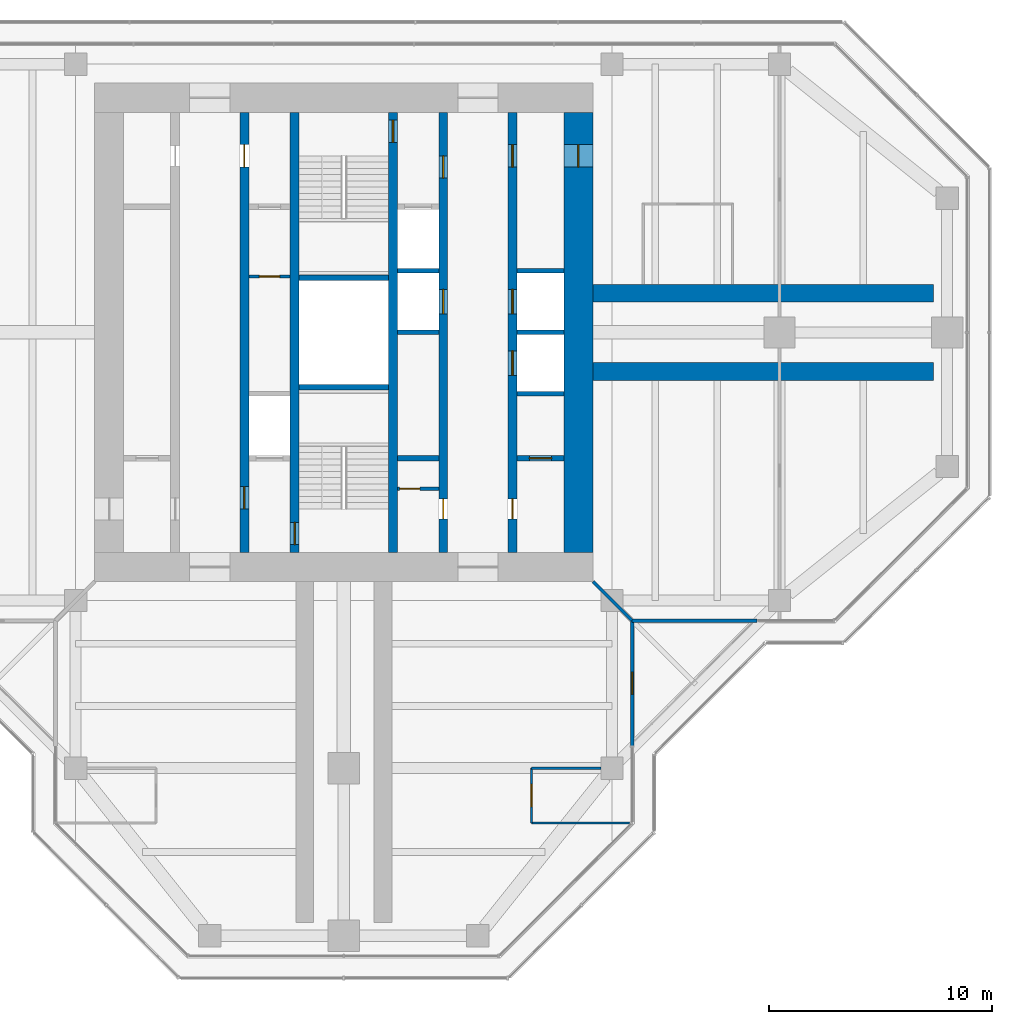
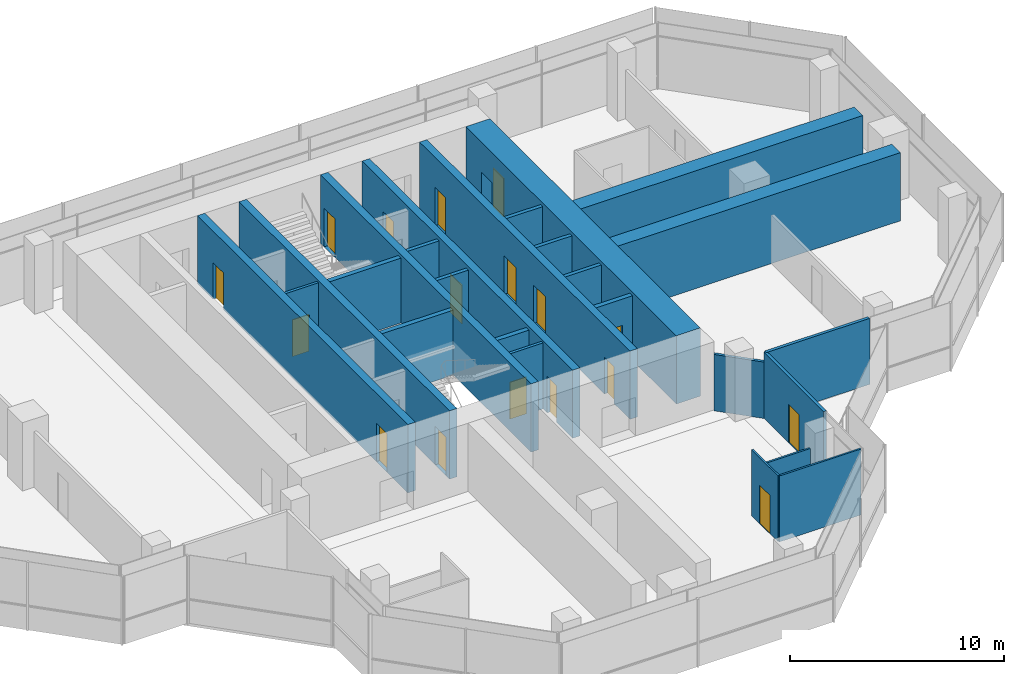
# One storey, part 12 of 15: 25 walls, 17 doors, 17 openings.
"""IFC4 building model written with IfcOpenShell, lengths in metres."""

from ifc_helpers import new_model, si_unit, direction, frame, frame_2d, origin, place, context, subcontext, project, spatial, rectangle, extrude, material, layer, layer_set, type_object, element, fill, save


model = new_model("IFC4")

# Units and contexts
model_context = context("Model", 3, precision=1e-05, world=origin(), true_north=direction((0.0, 1.0)))
body_context = subcontext(model_context, "Body", "Model", "MODEL_VIEW")
ifc_project = project(units=[si_unit("LENGTHUNIT", "METRE"), si_unit("AREAUNIT", "SQUARE_METRE"), si_unit("VOLUMEUNIT", "CUBIC_METRE"), si_unit("PLANEANGLEUNIT", "RADIAN"), si_unit("MASSUNIT", "GRAM", prefix="KILO")], contexts=[model_context])

# Site, building, storey
site_placement = place(None, origin())
site = spatial("IfcSite", under=ifc_project, at=site_placement, CompositionType="ELEMENT")
building_placement = place(site_placement, origin())
building = spatial("IfcBuilding", under=site, at=building_placement, Name="Mizan Broadcast Tower", CompositionType="ELEMENT")
storey_placement = place(building_placement, frame((0.0, 0.0, 298.5)))
storey = spatial("IfcBuildingStorey", under=building, at=storey_placement, Name="L71", CompositionType="ELEMENT", Elevation=298.5)

# Wall, openings, doors
ifc_material_1 = material(Name="Concrete C70/85", Category="concrete")
ifc_layer_1 = layer(ifc_material_1, 0.39990234375)
ifc_layer_set_1 = layer_set([ifc_layer_1], Name="Concrete C70/85")
wall_type_1 = type_object("IfcWallType", Name="CORE INTERNAL WALL 400", PredefinedType="SHEAR", material=ifc_layer_set_1)
wall_1_placement = place(storey_placement, frame((7.550048828125, 9.85009765625, 0.0), z_axis=(0.0, 0.0, 1.0), x_axis=(0.0, -1.0, 0.0)))
wall_1 = element("IfcWall", 1, at=wall_1_placement, inside=storey, type_object=wall_type_1, Name="Core wall CORE/XW1E", PredefinedType="SHEAR", context=body_context, shape_type="SweptSolid", body=[
    extrude(rectangle(XDim=19.7001953125, YDim=0.39990234375, at=frame_2d((9.85009765625, 0.0))), origin(), (0.0, 0.0, 1.0), 3.89990234375),
])
opening_1_placement = place(wall_1_placement, frame((1.449951171875, 0.0, 0.0)))
opening_1 = element("IfcOpeningElement", 2, at=opening_1_placement, cuts=wall_1, Name="Opening D10F", PredefinedType="OPENING", context=body_context, shape_type="SweptSolid", body=[
    extrude(rectangle(XDim=1.0, YDim=2.199951171875, at=frame_2d((0.5, 1.10009765625))), frame((0.0, 0.2099609375, 0.0), z_axis=(0.0, -1.0, 0.0), x_axis=(1.0, 0.0, 0.0)), (0.0, 0.0, 1.0), 0.419921875),
])
opening_2_placement = place(wall_1_placement, frame((17.300048828125, 0.0, 0.0)))
opening_2 = element("IfcOpeningElement", 3, at=opening_2_placement, cuts=wall_1, Name="Opening D09", PredefinedType="OPENING", context=body_context, shape_type="SweptSolid", body=[
    extrude(rectangle(XDim=0.89990234375, YDim=2.10009765625, at=frame_2d((0.449951171875, 1.050048828125))), frame((0.0, 0.2099609375, 0.0), z_axis=(0.0, -1.0, 0.0), x_axis=(1.0, 0.0, 0.0)), (0.0, 0.0, 1.0), 0.419921875),
])
opening_3_placement = place(wall_1_placement, frame((7.925048828125, 0.0, 0.0)))
opening_3 = element("IfcOpeningElement", 4, at=opening_3_placement, cuts=wall_1, Name="Opening LD", PredefinedType="OPENING", context=body_context, shape_type="SweptSolid", body=[
    extrude(rectangle(XDim=1.10009765625, YDim=2.199951171875, at=frame_2d((0.550048828125, 1.10009765625))), frame((0.0, 0.2099609375, 0.0), z_axis=(0.0, -1.0, 0.0), x_axis=(1.0, 0.0, 0.0)), (0.0, 0.0, 1.0), 0.419921875),
])
opening_4_placement = place(wall_1_placement, frame((10.675048828125, 0.0, 0.0)))
opening_4 = element("IfcOpeningElement", 5, at=opening_4_placement, cuts=wall_1, Name="Opening LD", PredefinedType="OPENING", context=body_context, shape_type="SweptSolid", body=[
    extrude(rectangle(XDim=1.10009765625, YDim=2.199951171875, at=frame_2d((0.550048828125, 1.10009765625))), frame((0.0, 0.2099609375, 0.0), z_axis=(0.0, -1.0, 0.0), x_axis=(1.0, 0.0, 0.0)), (0.0, 0.0, 1.0), 0.419921875),
])
ifc_material_2 = material(Name="Steel door leaf in steel frame", Category="steel")
door_type_1 = type_object("IfcDoorType", Name="FIRE DOOR 1000 FD90", OperationType="SINGLE_SWING_LEFT", PredefinedType="DOOR", material=ifc_material_2)
door_1_placement = place(opening_1_placement, origin())
door_1 = element("IfcDoor", 6, at=door_1_placement, inside=storey, type_object=door_type_1, Name="East core passage door", OperationType="SINGLE_SWING_LEFT", OverallHeight=2.199951171875, OverallWidth=1.0, PredefinedType="DOOR", context=body_context, shape_type="SweptSolid", body=[
    extrude(rectangle(XDim=1.0, YDim=2.199951171875, at=frame_2d((0.5, 1.10009765625))), frame((0.0, 0.02490234375, 0.0), z_axis=(0.0, -1.0, 0.0), x_axis=(1.0, 0.0, 0.0)), (0.0, 0.0, 1.0), 0.050048828125),
])
fill(opening_1, door_1)
ifc_material_3 = material(Name="Steel door leaf in steel frame", Category="steel")
door_type_2 = type_object("IfcDoorType", Name="LIFT LANDING DOOR 1100", OperationType="SLIDING_TO_LEFT", PredefinedType="DOOR", material=ifc_material_3)
door_2_placement = place(opening_3_placement, origin())
door_2 = element("IfcDoor", 7, at=door_2_placement, inside=storey, type_object=door_type_2, Name="Landing door LD1", OperationType="SLIDING_TO_LEFT", OverallHeight=2.199951171875, OverallWidth=1.10009765625, PredefinedType="DOOR", context=body_context, shape_type="SweptSolid", body=[
    extrude(rectangle(XDim=1.10009765625, YDim=2.199951171875, at=frame_2d((0.550048828125, 1.10009765625))), frame((0.0, 0.02490234375, 0.0), z_axis=(0.0, -1.0, 0.0), x_axis=(1.0, 0.0, 0.0)), (0.0, 0.0, 1.0), 0.050048828125),
])
fill(opening_3, door_2)
door_3_placement = place(opening_4_placement, origin())
door_3 = element("IfcDoor", 8, at=door_3_placement, inside=storey, type_object=door_type_2, Name="Landing door LD2", OperationType="SLIDING_TO_LEFT", OverallHeight=2.199951171875, OverallWidth=1.10009765625, PredefinedType="DOOR", context=body_context, shape_type="SweptSolid", body=[
    extrude(rectangle(XDim=1.10009765625, YDim=2.199951171875, at=frame_2d((0.550048828125, 1.10009765625))), frame((0.0, 0.02490234375, 0.0), z_axis=(0.0, -1.0, 0.0), x_axis=(1.0, 0.0, 0.0)), (0.0, 0.0, 1.0), 0.050048828125),
])
fill(opening_4, door_3)
ifc_material_4 = material(Name="Timber door leaf in aluminium frame", Category="wood")
door_type_3 = type_object("IfcDoorType", Name="TOILET DOOR 900", OperationType="SINGLE_SWING_LEFT", PredefinedType="DOOR", material=ifc_material_4)
door_4_placement = place(opening_2_placement, origin())
door_4 = element("IfcDoor", 9, at=door_4_placement, inside=storey, type_object=door_type_3, Name="Female WC door", OperationType="SINGLE_SWING_RIGHT", OverallHeight=2.10009765625, OverallWidth=0.89990234375, PredefinedType="DOOR", context=body_context, shape_type="SweptSolid", body=[
    extrude(rectangle(XDim=0.89990234375, YDim=2.10009765625, at=frame_2d((0.449951171875, 1.050048828125))), frame((0.0, 0.02490234375, 0.0), z_axis=(0.0, -1.0, 0.0), x_axis=(1.0, 0.0, 0.0)), (0.0, 0.0, 1.0), 0.050048828125),
])
fill(opening_2, door_4)

wall_2_placement = place(storey_placement, frame((-4.449951171875, -9.85009765625, 0.0), z_axis=(0.0, 0.0, 1.0), x_axis=(0.0, 1.0, 0.0)))
wall_2 = element("IfcWall", 10, at=wall_2_placement, inside=storey, type_object=wall_type_1, Name="Core wall CORE/XWH", PredefinedType="SHEAR", context=body_context, shape_type="SweptSolid", body=[
    extrude(rectangle(XDim=19.7001953125, YDim=0.39990234375, at=frame_2d((9.85009765625, 0.0))), origin(), (0.0, 0.0, 1.0), 3.89990234375),
])
opening_5_placement = place(wall_2_placement, frame((1.949951171875, 0.0, 0.0)))
opening_5 = element("IfcOpeningElement", 11, at=opening_5_placement, cuts=wall_2, Name="Opening D10F", PredefinedType="OPENING", context=body_context, shape_type="SweptSolid", body=[
    extrude(rectangle(XDim=1.0, YDim=2.199951171875, at=frame_2d((0.5, 1.10009765625))), frame((0.0, 0.2099609375, 0.0), z_axis=(0.0, -1.0, 0.0), x_axis=(1.0, 0.0, 0.0)), (0.0, 0.0, 1.0), 0.419921875),
])
opening_6_placement = place(wall_2_placement, frame((17.25, 0.0, 0.0)))
opening_6 = element("IfcOpeningElement", 12, at=opening_6_placement, cuts=wall_2, Name="Opening D10A", PredefinedType="OPENING", context=body_context, shape_type="SweptSolid", body=[
    extrude(rectangle(XDim=1.0, YDim=2.10009765625, at=frame_2d((0.5, 1.050048828125))), frame((0.0, 0.2099609375, 0.0), z_axis=(0.0, -1.0, 0.0), x_axis=(1.0, 0.0, 0.0)), (0.0, 0.0, 1.0), 0.419921875),
])
ifc_material_5 = material(Name="Timber door leaf in aluminium frame", Category="wood")
door_type_4 = type_object("IfcDoorType", Name="ACCESSIBLE WC DOOR 1000", OperationType="SLIDING_TO_LEFT", PredefinedType="DOOR", material=ifc_material_5)
door_5_placement = place(opening_6_placement, origin())
door_5 = element("IfcDoor", 13, at=door_5_placement, inside=storey, type_object=door_type_4, Name="Accessible WC door", OperationType="SLIDING_TO_LEFT", OverallHeight=2.10009765625, OverallWidth=1.0, PredefinedType="DOOR", context=body_context, shape_type="SweptSolid", body=[
    extrude(rectangle(XDim=1.0, YDim=2.10009765625, at=frame_2d((0.5, 1.050048828125))), frame((0.0, 0.02490234375, 0.0), z_axis=(0.0, -1.0, 0.0), x_axis=(1.0, 0.0, 0.0)), (0.0, 0.0, 1.0), 0.050048828125),
])
fill(opening_6, door_5)
door_6_placement = place(opening_5_placement, origin())
door_6 = element("IfcDoor", 14, at=door_6_placement, inside=storey, type_object=door_type_1, Name="Firefighting lobby A door", OperationType="SINGLE_SWING_LEFT", OverallHeight=2.199951171875, OverallWidth=1.0, PredefinedType="DOOR", context=body_context, shape_type="SweptSolid", body=[
    extrude(rectangle(XDim=1.0, YDim=2.199951171875, at=frame_2d((0.5, 1.10009765625))), frame((0.0, 0.02490234375, 0.0), z_axis=(0.0, -1.0, 0.0), x_axis=(1.0, 0.0, 0.0)), (0.0, 0.0, 1.0), 0.050048828125),
])
fill(opening_5, door_6)

wall_3_placement = place(storey_placement, frame((4.449951171875, 9.85009765625, 0.0), z_axis=(0.0, 0.0, 1.0), x_axis=(0.0, -1.0, 0.0)))
wall_3 = element("IfcWall", 15, at=wall_3_placement, inside=storey, type_object=wall_type_1, Name="Core wall CORE/XWHE", PredefinedType="SHEAR", context=body_context, shape_type="SweptSolid", body=[
    extrude(rectangle(XDim=19.7001953125, YDim=0.39990234375, at=frame_2d((9.85009765625, 0.0))), origin(), (0.0, 0.0, 1.0), 3.89990234375),
])
opening_7_placement = place(wall_3_placement, frame((1.949951171875, 0.0, 0.0)))
opening_7 = element("IfcOpeningElement", 16, at=opening_7_placement, cuts=wall_3, Name="Opening D10F", PredefinedType="OPENING", context=body_context, shape_type="SweptSolid", body=[
    extrude(rectangle(XDim=1.0, YDim=2.199951171875, at=frame_2d((0.5, 1.10009765625))), frame((0.0, 0.2099609375, 0.0), z_axis=(0.0, -1.0, 0.0), x_axis=(1.0, 0.0, 0.0)), (0.0, 0.0, 1.0), 0.419921875),
])
opening_8_placement = place(wall_3_placement, frame((17.300048828125, 0.0, 0.0)))
opening_8 = element("IfcOpeningElement", 17, at=opening_8_placement, cuts=wall_3, Name="Opening D09", PredefinedType="OPENING", context=body_context, shape_type="SweptSolid", body=[
    extrude(rectangle(XDim=0.89990234375, YDim=2.10009765625, at=frame_2d((0.449951171875, 1.050048828125))), frame((0.0, 0.2099609375, 0.0), z_axis=(0.0, -1.0, 0.0), x_axis=(1.0, 0.0, 0.0)), (0.0, 0.0, 1.0), 0.419921875),
])
opening_9_placement = place(wall_3_placement, frame((7.925048828125, 0.0, 0.0)))
opening_9 = element("IfcOpeningElement", 18, at=opening_9_placement, cuts=wall_3, Name="Opening LD", PredefinedType="OPENING", context=body_context, shape_type="SweptSolid", body=[
    extrude(rectangle(XDim=1.10009765625, YDim=2.199951171875, at=frame_2d((0.550048828125, 1.10009765625))), frame((0.0, 0.2099609375, 0.0), z_axis=(0.0, -1.0, 0.0), x_axis=(1.0, 0.0, 0.0)), (0.0, 0.0, 1.0), 0.419921875),
])
door_7_placement = place(opening_7_placement, origin())
door_7 = element("IfcDoor", 19, at=door_7_placement, inside=storey, type_object=door_type_1, Name="Firefighting lobby B door", OperationType="SINGLE_SWING_LEFT", OverallHeight=2.199951171875, OverallWidth=1.0, PredefinedType="DOOR", context=body_context, shape_type="SweptSolid", body=[
    extrude(rectangle(XDim=1.0, YDim=2.199951171875, at=frame_2d((0.5, 1.10009765625))), frame((0.0, 0.02490234375, 0.0), z_axis=(0.0, -1.0, 0.0), x_axis=(1.0, 0.0, 0.0)), (0.0, 0.0, 1.0), 0.050048828125),
])
fill(opening_7, door_7)
door_8_placement = place(opening_9_placement, origin())
door_8 = element("IfcDoor", 20, at=door_8_placement, inside=storey, type_object=door_type_2, Name="Landing door LD3", OperationType="SLIDING_TO_LEFT", OverallHeight=2.199951171875, OverallWidth=1.10009765625, PredefinedType="DOOR", context=body_context, shape_type="SweptSolid", body=[
    extrude(rectangle(XDim=1.10009765625, YDim=2.199951171875, at=frame_2d((0.550048828125, 1.10009765625))), frame((0.0, 0.02490234375, 0.0), z_axis=(0.0, -1.0, 0.0), x_axis=(1.0, 0.0, 0.0)), (0.0, 0.0, 1.0), 0.050048828125),
])
fill(opening_9, door_8)
door_9_placement = place(opening_8_placement, origin())
door_9 = element("IfcDoor", 21, at=door_9_placement, inside=storey, type_object=door_type_3, Name="Cleaner's store door", OperationType="SINGLE_SWING_RIGHT", OverallHeight=2.10009765625, OverallWidth=0.89990234375, PredefinedType="DOOR", context=body_context, shape_type="SweptSolid", body=[
    extrude(rectangle(XDim=0.89990234375, YDim=2.10009765625, at=frame_2d((0.449951171875, 1.050048828125))), frame((0.0, 0.02490234375, 0.0), z_axis=(0.0, -1.0, 0.0), x_axis=(1.0, 0.0, 0.0)), (0.0, 0.0, 1.0), 0.050048828125),
])
fill(opening_8, door_9)

# Wall, opening, door
wall_4_placement = place(storey_placement, frame((-2.199951171875, -9.85009765625, 0.0), z_axis=(0.0, 0.0, 1.0), x_axis=(0.0, 1.0, 0.0)))
wall_4 = element("IfcWall", 22, at=wall_4_placement, inside=storey, type_object=wall_type_1, Name="Core wall CORE/XW2", PredefinedType="SHEAR", context=body_context, shape_type="SweptSolid", body=[
    extrude(rectangle(XDim=19.7001953125, YDim=0.39990234375, at=frame_2d((9.85009765625, 0.0))), origin(), (0.0, 0.0, 1.0), 3.89990234375),
])
opening_10_placement = place(wall_4_placement, frame((0.35009765625, 0.0, 0.0)))
opening_10 = element("IfcOpeningElement", 23, at=opening_10_placement, cuts=wall_4, Name="Opening D10S", PredefinedType="OPENING", context=body_context, shape_type="SweptSolid", body=[
    extrude(rectangle(XDim=1.0, YDim=2.199951171875, at=frame_2d((0.5, 1.10009765625))), frame((0.0, 0.2099609375, 0.0), z_axis=(0.0, -1.0, 0.0), x_axis=(1.0, 0.0, 0.0)), (0.0, 0.0, 1.0), 0.419921875),
])
ifc_material_6 = material(Name="Steel door leaf in steel frame", Category="steel")
door_type_5 = type_object("IfcDoorType", Name="STAIR DOOR 1000 FD90S", OperationType="SINGLE_SWING_RIGHT", PredefinedType="DOOR", material=ifc_material_6)
door_10_placement = place(opening_10_placement, origin())
door_10 = element("IfcDoor", 24, at=door_10_placement, inside=storey, type_object=door_type_5, Name="Stair A door", OperationType="SINGLE_SWING_RIGHT", OverallHeight=2.199951171875, OverallWidth=1.0, PredefinedType="DOOR", context=body_context, shape_type="SweptSolid", body=[
    extrude(rectangle(XDim=1.0, YDim=2.199951171875, at=frame_2d((0.5, 1.10009765625))), frame((0.0, 0.02490234375, 0.0), z_axis=(0.0, -1.0, 0.0), x_axis=(1.0, 0.0, 0.0)), (0.0, 0.0, 1.0), 0.050048828125),
])
fill(opening_10, door_10)

wall_5_placement = place(storey_placement, frame((2.199951171875, 9.85009765625, 0.0), z_axis=(0.0, 0.0, 1.0), x_axis=(0.0, -1.0, 0.0)))
wall_5 = element("IfcWall", 25, at=wall_5_placement, inside=storey, type_object=wall_type_1, Name="Core wall CORE/XW2E", PredefinedType="SHEAR", context=body_context, shape_type="SweptSolid", body=[
    extrude(rectangle(XDim=19.7001953125, YDim=0.39990234375, at=frame_2d((9.85009765625, 0.0))), origin(), (0.0, 0.0, 1.0), 3.89990234375),
])
opening_11_placement = place(wall_5_placement, frame((0.35009765625, 0.0, 0.0)))
opening_11 = element("IfcOpeningElement", 26, at=opening_11_placement, cuts=wall_5, Name="Opening D10S", PredefinedType="OPENING", context=body_context, shape_type="SweptSolid", body=[
    extrude(rectangle(XDim=1.0, YDim=2.199951171875, at=frame_2d((0.5, 1.10009765625))), frame((0.0, 0.2099609375, 0.0), z_axis=(0.0, -1.0, 0.0), x_axis=(1.0, 0.0, 0.0)), (0.0, 0.0, 1.0), 0.419921875),
])
door_11_placement = place(opening_11_placement, origin())
door_11 = element("IfcDoor", 27, at=door_11_placement, inside=storey, type_object=door_type_5, Name="Stair B door", OperationType="SINGLE_SWING_RIGHT", OverallHeight=2.199951171875, OverallWidth=1.0, PredefinedType="DOOR", context=body_context, shape_type="SweptSolid", body=[
    extrude(rectangle(XDim=1.0, YDim=2.199951171875, at=frame_2d((0.5, 1.10009765625))), frame((0.0, 0.02490234375, 0.0), z_axis=(0.0, -1.0, 0.0), x_axis=(1.0, 0.0, 0.0)), (0.0, 0.0, 1.0), 0.050048828125),
])
fill(opening_11, door_11)

ifc_material_7 = material(Name="Concrete blockwork", Category="masonry")
ifc_layer_2 = layer(ifc_material_7, 0.14990234375)
ifc_layer_set_2 = layer_set([ifc_layer_2], Name="Concrete blockwork")
wall_type_2 = type_object("IfcWallType", Name="CORE PARTITION 150", PredefinedType="SOLIDWALL", material=ifc_layer_set_2)
wall_6_placement = place(storey_placement, frame((-4.25, 2.5, 0.0), z_axis=(0.0, 0.0, 1.0), x_axis=(1.0, 0.0, 0.0)))
wall_6 = element("IfcWall", 28, at=wall_6_placement, inside=storey, type_object=wall_type_2, Name="Core partition CORE/XP2", PredefinedType="SOLIDWALL", context=body_context, shape_type="SweptSolid", body=[
    extrude(rectangle(XDim=1.85009765625, YDim=0.14990234375, at=frame_2d((0.925048828125, 0.0))), origin(), (0.0, 0.0, 1.0), 3.77001953125),
])
opening_12_placement = place(wall_6_placement, frame((0.47509765625, 0.0, 0.0)))
opening_12 = element("IfcOpeningElement", 29, at=opening_12_placement, cuts=wall_6, Name="Opening D09F", PredefinedType="OPENING", context=body_context, shape_type="SweptSolid", body=[
    extrude(rectangle(XDim=0.89990234375, YDim=2.10009765625, at=frame_2d((0.449951171875, 1.050048828125))), frame((0.0, 0.0849609375, 0.0), z_axis=(0.0, -1.0, 0.0), x_axis=(1.0, 0.0, 0.0)), (0.0, 0.0, 1.0), 0.169921875),
])
ifc_material_8 = material(Name="Steel door leaf in steel frame", Category="steel")
door_type_6 = type_object("IfcDoorType", Name="CORE ROOM DOOR 900 FD90", OperationType="SINGLE_SWING_LEFT", PredefinedType="DOOR", material=ifc_material_8)
door_12_placement = place(opening_12_placement, origin())
door_12 = element("IfcDoor", 30, at=door_12_placement, inside=storey, type_object=door_type_6, Name="Shower store door", OperationType="SINGLE_SWING_RIGHT", OverallHeight=2.10009765625, OverallWidth=0.89990234375, PredefinedType="DOOR", context=body_context, shape_type="SweptSolid", body=[
    extrude(rectangle(XDim=0.89990234375, YDim=2.10009765625, at=frame_2d((0.449951171875, 1.050048828125))), frame((0.0, 0.02490234375, 0.0), z_axis=(0.0, -1.0, 0.0), x_axis=(1.0, 0.0, 0.0)), (0.0, 0.0, 1.0), 0.050048828125),
])
fill(opening_12, door_12)

wall_7_placement = place(storey_placement, frame((2.39990234375, -7.0, 0.0), z_axis=(0.0, 0.0, 1.0), x_axis=(1.0, 0.0, 0.0)))
wall_7 = element("IfcWall", 31, at=wall_7_placement, inside=storey, type_object=wall_type_2, Name="Core partition CORE/XPC", PredefinedType="SOLIDWALL", context=body_context, shape_type="SweptSolid", body=[
    extrude(rectangle(XDim=1.85009765625, YDim=0.14990234375, at=frame_2d((0.925048828125, 0.0))), origin(), (0.0, 0.0, 1.0), 3.77001953125),
])
opening_13_placement = place(wall_7_placement, frame((0.10009765625, 0.0, 0.0)))
opening_13 = element("IfcOpeningElement", 32, at=opening_13_placement, cuts=wall_7, Name="Opening D09F", PredefinedType="OPENING", context=body_context, shape_type="SweptSolid", body=[
    extrude(rectangle(XDim=0.89990234375, YDim=2.10009765625, at=frame_2d((0.449951171875, 1.050048828125))), frame((0.0, 0.0849609375, 0.0), z_axis=(0.0, -1.0, 0.0), x_axis=(1.0, 0.0, 0.0)), (0.0, 0.0, 1.0), 0.169921875),
])
door_13_placement = place(opening_13_placement, origin())
door_13 = element("IfcDoor", 33, at=door_13_placement, inside=storey, type_object=door_type_6, Name="Cleaning materials store door", OperationType="SINGLE_SWING_LEFT", OverallHeight=2.10009765625, OverallWidth=0.89990234375, PredefinedType="DOOR", context=body_context, shape_type="SweptSolid", body=[
    extrude(rectangle(XDim=0.89990234375, YDim=2.10009765625, at=frame_2d((0.449951171875, 1.050048828125))), frame((0.0, 0.02490234375, 0.0), z_axis=(0.0, -1.0, 0.0), x_axis=(1.0, 0.0, 0.0)), (0.0, 0.0, 1.0), 0.050048828125),
])
fill(opening_13, door_13)

ifc_material_9 = material(Name="Concrete C70/85", Category="concrete")
ifc_layer_3 = layer(ifc_material_9, 1.300048828125)
ifc_layer_set_3 = layer_set([ifc_layer_3], Name="Concrete C70/85")
wall_type_3 = type_object("IfcWallType", Name="CORE WALL 1300", PredefinedType="SHEAR", material=ifc_layer_set_3)
wall_8_placement = place(storey_placement, frame((10.5, -9.85009765625, 0.0), z_axis=(0.0, 0.0, 1.0), x_axis=(0.0, 1.0, 0.0)))
wall_8 = element("IfcWall", 34, at=wall_8_placement, inside=storey, type_object=wall_type_3, Name="Core wall E L71", PredefinedType="SHEAR", context=body_context, shape_type="SweptSolid", body=[
    extrude(rectangle(XDim=19.7001953125, YDim=1.300048828125, at=frame_2d((9.85009765625, 0.0))), origin(), (0.0, 0.0, 1.0), 3.89990234375),
])
opening_14_placement = place(wall_8_placement, frame((17.25, 0.0, 0.0)))
opening_14 = element("IfcOpeningElement", 35, at=opening_14_placement, cuts=wall_8, Name="Opening D10F", PredefinedType="OPENING", context=body_context, shape_type="SweptSolid", body=[
    extrude(rectangle(XDim=1.0, YDim=2.199951171875, at=frame_2d((0.5, 1.10009765625))), frame((0.0, 0.659912109375, 0.0), z_axis=(0.0, -1.0, 0.0), x_axis=(1.0, 0.0, 0.0)), (0.0, 0.0, 1.0), 1.320068359375),
])
door_14_placement = place(opening_14_placement, origin())
door_14 = element("IfcDoor", 36, at=door_14_placement, inside=storey, type_object=door_type_1, Name="East core passage arm door", OperationType="SINGLE_SWING_RIGHT", OverallHeight=2.199951171875, OverallWidth=1.0, PredefinedType="DOOR", context=body_context, shape_type="SweptSolid", body=[
    extrude(rectangle(XDim=1.0, YDim=2.199951171875, at=frame_2d((0.5, 1.10009765625))), frame((0.0, 0.02490234375, 0.0), z_axis=(0.0, -1.0, 0.0), x_axis=(1.0, 0.0, 0.0)), (0.0, 0.0, 1.0), 0.050048828125),
])
fill(opening_14, door_14)

# Wall
ifc_material_10 = material(Name="Aluminium framed glazed screen", Category="aluminium")
ifc_layer_4 = layer(ifc_material_10, 0.159912109375)
ifc_layer_set_4 = layer_set([ifc_layer_4], Name="Aluminium framed glazed screen")
wall_type_4 = type_object("IfcWallType", Name="GLAZED SCREEN WALL 160", PredefinedType="SOLIDWALL", material=ifc_layer_set_4)
wall_9_placement = place(storey_placement, frame((12.89990234375, -12.89990234375, 0.0), z_axis=(0.0, 0.0, 1.0), x_axis=(1.0, 0.0, 0.0)))
element("IfcWall", 37, at=wall_9_placement, inside=storey, type_object=wall_type_4, Name="Winter garden screen L71 E", PredefinedType="SOLIDWALL", context=body_context, shape_type="SweptSolid", body=[
    extrude(rectangle(XDim=5.60009765625, YDim=0.159912109375, at=frame_2d((2.800048828125, 0.0))), origin(), (0.0, 0.0, 1.0), 3.77001953125),
])

# Wall, opening, door
wall_10_placement = place(storey_placement, frame((12.89990234375, -18.5, 0.0), z_axis=(0.0, 0.0, 1.0), x_axis=(0.0, 1.0, 0.0)))
wall_10 = element("IfcWall", 38, at=wall_10_placement, inside=storey, type_object=wall_type_4, Name="Winter garden screen L71 S", PredefinedType="SOLIDWALL", context=body_context, shape_type="SweptSolid", body=[
    extrude(rectangle(XDim=5.60009765625, YDim=0.159912109375, at=frame_2d((2.800048828125, 0.0))), origin(), (0.0, 0.0, 1.0), 3.77001953125),
])
opening_15_placement = place(wall_10_placement, frame((2.300048828125, 0.0, 0.0)))
opening_15 = element("IfcOpeningElement", 39, at=opening_15_placement, cuts=wall_10, Name="Opening WGD", PredefinedType="OPENING", context=body_context, shape_type="SweptSolid", body=[
    extrude(rectangle(XDim=1.0, YDim=2.199951171875, at=frame_2d((0.5, 1.10009765625))), frame((0.0, 0.08984375, 0.0), z_axis=(0.0, -1.0, 0.0), x_axis=(1.0, 0.0, 0.0)), (0.0, 0.0, 1.0), 0.179931640625),
])
ifc_material_11 = material(Name="Aluminium framed glazed door", Category="aluminium")
door_type_7 = type_object("IfcDoorType", Name="WINTER GARDEN DOOR 1000 GLAZED", OperationType="SINGLE_SWING_LEFT", PredefinedType="DOOR", material=ifc_material_11)
door_15_placement = place(opening_15_placement, origin())
door_15 = element("IfcDoor", 40, at=door_15_placement, inside=storey, type_object=door_type_7, Name="Winter garden door L71 S", OperationType="SINGLE_SWING_RIGHT", OverallHeight=2.199951171875, OverallWidth=1.0, PredefinedType="DOOR", context=body_context, shape_type="SweptSolid", body=[
    extrude(rectangle(XDim=1.0, YDim=2.199951171875, at=frame_2d((0.5, 1.10009765625))), frame((0.0, 0.02490234375, 0.0), z_axis=(0.0, -1.0, 0.0), x_axis=(1.0, 0.0, 0.0)), (0.0, 0.0, 1.0), 0.050048828125),
])
fill(opening_15, door_15)

# Walls
ifc_material_12 = material(Name="Concrete blockwork", Category="masonry")
ifc_layer_5 = layer(ifc_material_12, 0.199951171875)
ifc_layer_set_5 = layer_set([ifc_layer_5], Name="Concrete blockwork")
wall_type_5 = type_object("IfcWallType", Name="LIFT SHAFT WALL 200", PredefinedType="SOLIDWALL", material=ifc_layer_set_5)
wall_11_placement = place(storey_placement, frame((7.75, -2.75, 0.0), z_axis=(0.0, 0.0, 1.0), x_axis=(1.0, 0.0, 0.0)))
element("IfcWall", 41, at=wall_11_placement, inside=storey, type_object=wall_type_5, Name="Lift shaft wall CORE/SE1-1", PredefinedType="SOLIDWALL", context=body_context, shape_type="SweptSolid", body=[
    extrude(rectangle(XDim=2.10009765625, YDim=0.199951171875, at=frame_2d((1.050048828125, 0.0))), origin(), (0.0, 0.0, 1.0), 3.699951171875),
])
wall_12_placement = place(storey_placement, frame((2.39990234375, 0.0, 0.0), z_axis=(0.0, 0.0, 1.0), x_axis=(1.0, 0.0, 0.0)))
element("IfcWall", 42, at=wall_12_placement, inside=storey, type_object=wall_type_5, Name="Lift shaft wall CORE/SE2-2", PredefinedType="SOLIDWALL", context=body_context, shape_type="SweptSolid", body=[
    extrude(rectangle(XDim=1.85009765625, YDim=0.199951171875, at=frame_2d((0.925048828125, 0.0))), origin(), (0.0, 0.0, 1.0), 3.699951171875),
])
wall_13_placement = place(storey_placement, frame((7.75, 0.0, 0.0), z_axis=(0.0, 0.0, 1.0), x_axis=(1.0, 0.0, 0.0)))
element("IfcWall", 43, at=wall_13_placement, inside=storey, type_object=wall_type_5, Name="Lift shaft wall CORE/SE1-2", PredefinedType="SOLIDWALL", context=body_context, shape_type="SweptSolid", body=[
    extrude(rectangle(XDim=2.10009765625, YDim=0.199951171875, at=frame_2d((1.050048828125, 0.0))), origin(), (0.0, 0.0, 1.0), 3.699951171875),
])
wall_14_placement = place(storey_placement, frame((2.39990234375, 2.75, 0.0), z_axis=(0.0, 0.0, 1.0), x_axis=(1.0, 0.0, 0.0)))
element("IfcWall", 44, at=wall_14_placement, inside=storey, type_object=wall_type_5, Name="Lift shaft wall CORE/SE2-3", PredefinedType="SOLIDWALL", context=body_context, shape_type="SweptSolid", body=[
    extrude(rectangle(XDim=1.85009765625, YDim=0.199951171875, at=frame_2d((0.925048828125, 0.0))), origin(), (0.0, 0.0, 1.0), 3.699951171875),
])
wall_15_placement = place(storey_placement, frame((7.75, 2.75, 0.0), z_axis=(0.0, 0.0, 1.0), x_axis=(1.0, 0.0, 0.0)))
element("IfcWall", 45, at=wall_15_placement, inside=storey, type_object=wall_type_5, Name="Lift shaft wall CORE/SE1-3", PredefinedType="SOLIDWALL", context=body_context, shape_type="SweptSolid", body=[
    extrude(rectangle(XDim=2.10009765625, YDim=0.199951171875, at=frame_2d((1.050048828125, 0.0))), origin(), (0.0, 0.0, 1.0), 3.699951171875),
])
ifc_material_13 = material(Name="Concrete blockwork", Category="masonry")
ifc_layer_6 = layer(ifc_material_13, 0.25)
ifc_layer_set_6 = layer_set([ifc_layer_6], Name="Concrete blockwork")
wall_type_6 = type_object("IfcWallType", Name="LOBBY ENCLOSURE WALL 250", PredefinedType="SOLIDWALL", material=ifc_layer_set_6)
wall_16_placement = place(storey_placement, frame((2.39990234375, -5.625, 0.0), z_axis=(0.0, 0.0, 1.0), x_axis=(1.0, 0.0, 0.0)))
element("IfcWall", 46, at=wall_16_placement, inside=storey, type_object=wall_type_6, Name="Lobby enclosure wall CORE/BE2S", PredefinedType="SOLIDWALL", context=body_context, shape_type="SweptSolid", body=[
    extrude(rectangle(XDim=1.85009765625, YDim=0.25, at=frame_2d((0.925048828125, 0.0))), origin(), (0.0, 0.0, 1.0), 3.699951171875),
])

# Wall, opening, door
wall_17_placement = place(storey_placement, frame((7.75, -5.625, 0.0), z_axis=(0.0, 0.0, 1.0), x_axis=(1.0, 0.0, 0.0)))
wall_17 = element("IfcWall", 47, at=wall_17_placement, inside=storey, type_object=wall_type_6, Name="Lobby enclosure wall CORE/BE1S", PredefinedType="SOLIDWALL", context=body_context, shape_type="SweptSolid", body=[
    extrude(rectangle(XDim=2.10009765625, YDim=0.25, at=frame_2d((1.050048828125, 0.0))), origin(), (0.0, 0.0, 1.0), 3.699951171875),
])
opening_16_placement = place(wall_17_placement, frame((0.550048828125, 0.0, 0.0)))
opening_16 = element("IfcOpeningElement", 48, at=opening_16_placement, cuts=wall_17, Name="Opening D10F", PredefinedType="OPENING", context=body_context, shape_type="SweptSolid", body=[
    extrude(rectangle(XDim=1.0, YDim=2.199951171875, at=frame_2d((0.5, 1.10009765625))), frame((0.0, 0.135009765625, 0.0), z_axis=(0.0, -1.0, 0.0), x_axis=(1.0, 0.0, 0.0)), (0.0, 0.0, 1.0), 0.27001953125),
])
door_16_placement = place(opening_16_placement, origin())
door_16 = element("IfcDoor", 49, at=door_16_placement, inside=storey, type_object=door_type_1, Name="Staff locker room door", OperationType="SINGLE_SWING_LEFT", OverallHeight=2.199951171875, OverallWidth=1.0, PredefinedType="DOOR", context=body_context, shape_type="SweptSolid", body=[
    extrude(rectangle(XDim=1.0, YDim=2.199951171875, at=frame_2d((0.5, 1.10009765625))), frame((0.0, 0.02490234375, 0.0), z_axis=(0.0, -1.0, 0.0), x_axis=(1.0, 0.0, 0.0)), (0.0, 0.0, 1.0), 0.050048828125),
])
fill(opening_16, door_16)

# Walls
for number, where, z_axis, x_axis, name in (
    (50, (-2.0, -2.449951171875, 0.0), (0.0, 0.0, 1.0), (1.0, 0.0, 0.0), "Lobby enclosure wall CORE/STA"),
    (51, (-2.0, 2.449951171875, 0.0), (0.0, 0.0, 1.0), (1.0, 0.0, 0.0), "Lobby enclosure wall CORE/STB"),
):
    element("IfcWall", number, at=place(storey_placement, frame(where, z_axis=z_axis, x_axis=x_axis)), inside=storey, type_object=wall_type_6, Name=name, PredefinedType="SOLIDWALL", context=body_context, shape_type="SweptSolid", body=[
        extrude(rectangle(XDim=4.0, YDim=0.25, at=frame_2d((2.0, 0.0))), origin(), (0.0, 0.0, 1.0), 3.699951171875),
    ])
ifc_material_14 = material(Name="Gypsum board on steel studs", Category="steel")
ifc_layer_7 = layer(ifc_material_14, 0.14990234375)
ifc_layer_set_7 = layer_set([ifc_layer_7], Name="Gypsum board on steel studs")
wall_type_7 = type_object("IfcWallType", Name="PARTITION 150", PredefinedType="PARTITIONING", material=ifc_layer_set_7)
wall_18_placement = place(storey_placement, frame((11.14990234375, -11.14990234375, 0.0), z_axis=(0.0, 0.0, 1.0), x_axis=(0.707106781187, -0.707106781187, 0.0)))
element("IfcWall", 52, at=wall_18_placement, inside=storey, type_object=wall_type_7, Name="Partition PT/DGES", PredefinedType="PARTITIONING", context=body_context, shape_type="SweptSolid", body=[
    extrude(rectangle(XDim=2.460693359375, YDim=0.14990234375, at=frame_2d((1.23046875, 0.0))), origin(), (0.0, 0.0, 1.0), 3.219970703125),
])

# Wall, opening, door
ifc_material_15 = material(Name="Glazed aluminium partition on aluminium track", Category="aluminium")
ifc_layer_8 = layer(ifc_material_15, 0.10009765625)
ifc_layer_set_8 = layer_set([ifc_layer_8], Name="Glazed aluminium partition on aluminium track")
wall_type_8 = type_object("IfcWallType", Name="PARTITION GLAZED OFFICE FRONT 100", PredefinedType="PARTITIONING", material=ifc_layer_set_8)
wall_19_placement = place(storey_placement, frame((8.39990234375, -19.5, 0.0), z_axis=(0.0, 0.0, 1.0), x_axis=(0.0, -1.0, 0.0)))
wall_19 = element("IfcWall", 53, at=wall_19_placement, inside=storey, type_object=wall_type_8, Name="Glazed office front PT/SCP0", PredefinedType="PARTITIONING", context=body_context, shape_type="SweptSolid", body=[
    extrude(rectangle(XDim=2.458984375, YDim=0.10009765625, at=frame_2d((1.2294921875, 0.0))), origin(), (0.0, 0.0, 1.0), 3.77001953125),
])
opening_17_placement = place(wall_19_placement, frame((0.7294921875, 0.0, 0.0)))
opening_17 = element("IfcOpeningElement", 54, at=opening_17_placement, cuts=wall_19, Name="Opening D10O", PredefinedType="OPENING", context=body_context, shape_type="SweptSolid", body=[
    extrude(rectangle(XDim=1.0, YDim=2.199951171875, at=frame_2d((0.5, 1.10009765625))), frame((0.0, 0.06005859375, 0.0), z_axis=(0.0, -1.0, 0.0), x_axis=(1.0, 0.0, 0.0)), (0.0, 0.0, 1.0), 0.1201171875),
])
ifc_material_16 = material(Name="Timber door leaf in aluminium frame", Category="wood")
door_type_8 = type_object("IfcDoorType", Name="OFFICE DOOR 1000 GLAZED", OperationType="SINGLE_SWING_LEFT", PredefinedType="DOOR", material=ifc_material_16)
door_17_placement = place(opening_17_placement, origin())
door_17 = element("IfcDoor", 55, at=door_17_placement, inside=storey, type_object=door_type_8, Name="Private office door", OperationType="SINGLE_SWING_LEFT", OverallHeight=2.199951171875, OverallWidth=1.0, PredefinedType="DOOR", context=body_context, shape_type="SweptSolid", body=[
    extrude(rectangle(XDim=1.0, YDim=2.199951171875, at=frame_2d((0.5, 1.10009765625))), frame((0.0, 0.02490234375, 0.0), z_axis=(0.0, -1.0, 0.0), x_axis=(1.0, 0.0, 0.0)), (0.0, 0.0, 1.0), 0.050048828125),
])
fill(opening_17, door_17)

# Walls
wall_20_placement = place(storey_placement, frame((8.39990234375, -19.5, 0.0), z_axis=(0.0, 0.0, 1.0), x_axis=(1.0, 0.0, 0.0)))
element("IfcWall", 56, at=wall_20_placement, inside=storey, type_object=wall_type_8, Name="Glazed office front PT/SQP1950", PredefinedType="PARTITIONING", context=body_context, shape_type="SweptSolid", body=[
    extrude(rectangle(XDim=3.10009765625, YDim=0.10009765625, at=frame_2d((1.550048828125, 0.0))), origin(), (0.0, 0.0, 1.0), 2.77001953125),
])
wall_21_placement = place(storey_placement, frame((8.39990234375, -21.958984375, 0.0), z_axis=(0.0, 0.0, 1.0), x_axis=(1.0, 0.0, 0.0)))
element("IfcWall", 57, at=wall_21_placement, inside=storey, type_object=wall_type_8, Name="Glazed office front PT/SQP2196", PredefinedType="PARTITIONING", context=body_context, shape_type="SweptSolid", body=[
    extrude(rectangle(XDim=4.420166015625, YDim=0.10009765625, at=frame_2d((2.2099609375, 0.0))), origin(), (0.0, 0.0, 1.0), 3.77001953125),
])
ifc_material_17 = material(Name="Concrete C70/85", Category="concrete")
ifc_layer_9 = layer(ifc_material_17, 0.800048828125)
ifc_layer_set_9 = layer_set([ifc_layer_9], Name="Concrete C70/85")
wall_type_9 = type_object("IfcWallType", Name="SPINE WALL 800", PredefinedType="SHEAR", material=ifc_layer_set_9)
for number, where, z_axis, x_axis, name in (
    (58, (11.14990234375, -1.75, 0.0), (0.0, 0.0, 1.0), (1.0, 0.0, 0.0), "Spine wall ER L71"),
    (59, (11.14990234375, 1.75, 0.0), (0.0, 0.0, 1.0), (1.0, 0.0, 0.0), "Spine wall EL L71"),
):
    element("IfcWall", number, at=place(storey_placement, frame(where, z_axis=z_axis, x_axis=x_axis)), inside=storey, type_object=wall_type_9, Name=name, PredefinedType="SHEAR", context=body_context, shape_type="SweptSolid", body=[
        extrude(rectangle(XDim=15.25, YDim=0.800048828125, at=frame_2d((7.625, 0.0))), origin(), (0.0, 0.0, 1.0), 3.89990234375),
    ])

save(model, "model.ifc")
